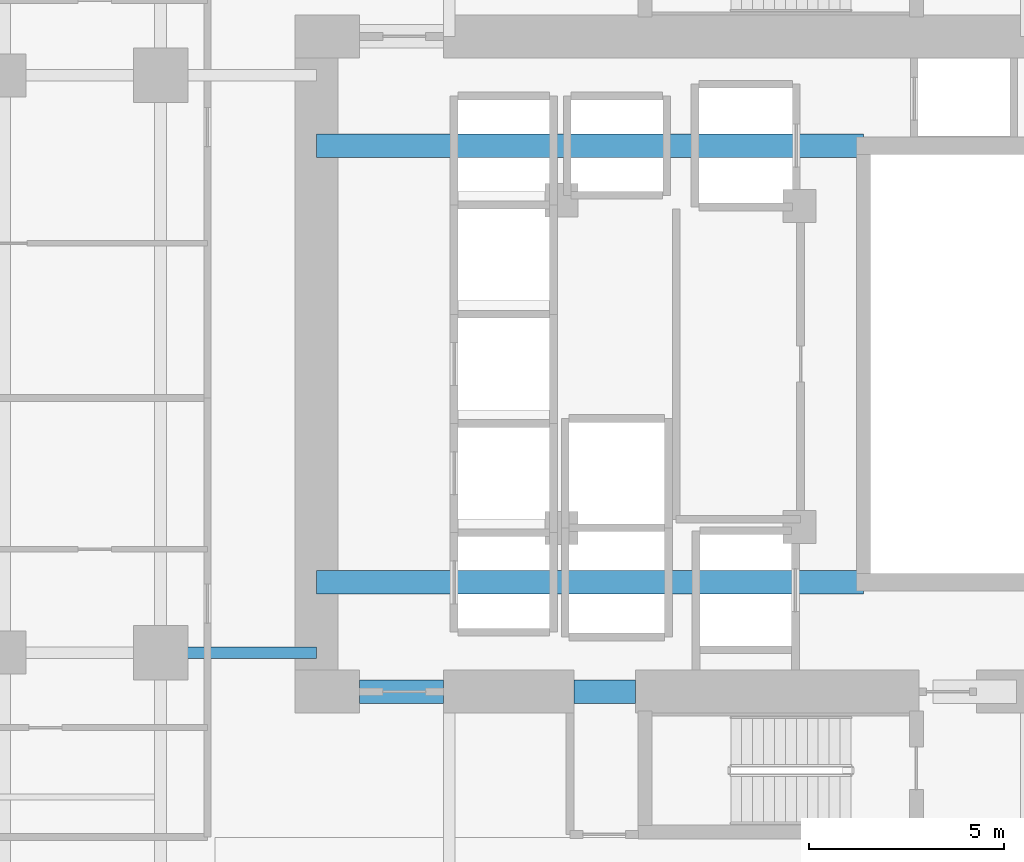
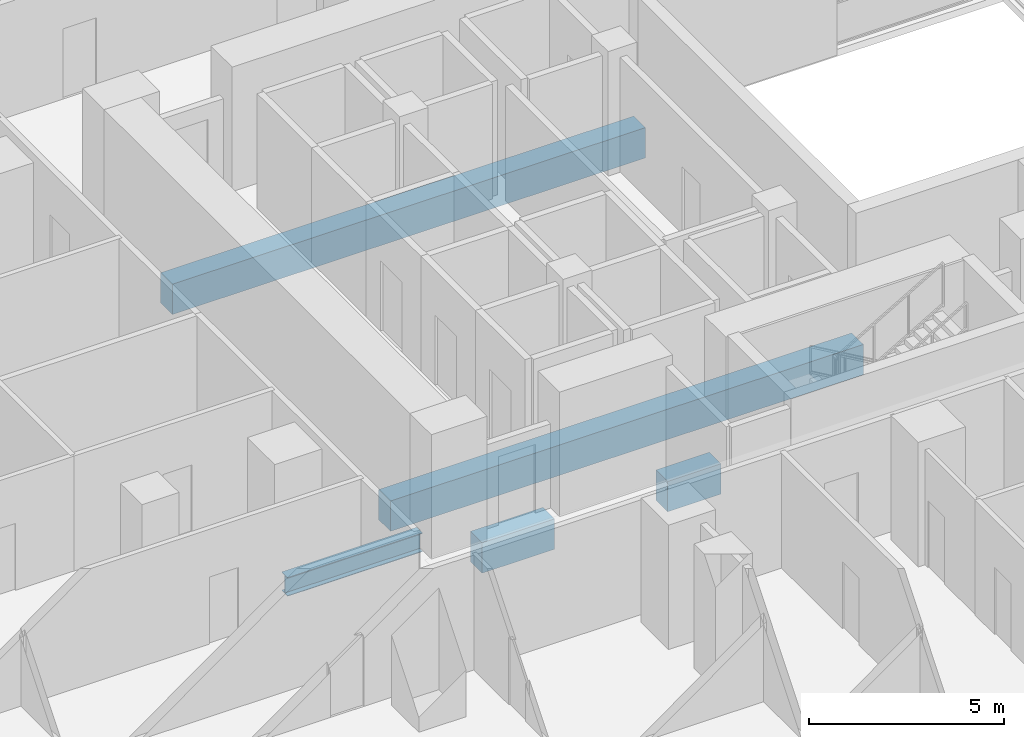
# One storey, part 7 of 29: 5 beams.
"""IFC4 building model written with IfcOpenShell, lengths in metres."""

from ifc_helpers import new_model, si_unit, direction, frame, origin, origin_2d, place, context, subcontext, project, spatial, rectangle, i_section, extrude, material, material_profile, profile_set, type_object, element, save


model = new_model("IFC4")

# Units and contexts
model_context = context("Model", 3, precision=1e-05, world=origin(), true_north=direction((0.0, 1.0)))
body_context = subcontext(model_context, "Body", "Model", "MODEL_VIEW")
ifc_project = project(units=[si_unit("LENGTHUNIT", "METRE"), si_unit("AREAUNIT", "SQUARE_METRE"), si_unit("VOLUMEUNIT", "CUBIC_METRE"), si_unit("PLANEANGLEUNIT", "RADIAN"), si_unit("MASSUNIT", "GRAM", prefix="KILO")], contexts=[model_context])

# Site, building, storey
site_placement = place(None, origin())
site = spatial("IfcSite", under=ifc_project, at=site_placement, CompositionType="ELEMENT")
building_placement = place(site_placement, origin())
building = spatial("IfcBuilding", under=site, at=building_placement, Name="Khorvyn Point Tower", CompositionType="ELEMENT")
storey_placement = place(building_placement, frame((0.0, 0.0, 73.5)))
storey = spatial("IfcBuildingStorey", under=building, at=storey_placement, Name="L19", CompositionType="ELEMENT", Elevation=73.5)

# Beams
ifc_material_1 = material(Name="Concrete C50/60", Category="concrete")
ifc_material_profile_1 = material_profile(ifc_material_1, rectangle(XDim=0.60009765625, YDim=0.949951171875, at=origin_2d()))
ifc_profile_set_1 = profile_set([ifc_material_profile_1], Name="Concrete C50/60 RC600x950")
beam_type_1 = type_object("IfcBeamType", Name="Concrete C50/60 Beam RC600x950", PredefinedType="BEAM", material=ifc_profile_set_1)
for number, where, z_axis, x_axis, name in (
    (1, (-10.800048828125, -5.60009765625, -0.695068359375), (1.0, 0.0, 0.0), (0.0, 1.0, 0.0), "L19 Core Internal Tie Girder S"),
    (2, (-10.800048828125, 5.60009765625, -0.695068359375), (1.0, 0.0, 0.0), (0.0, 1.0, 0.0), "L19 Core Internal Tie Girder N"),
):
    element("IfcBeam", number, at=place(storey_placement, frame(where, z_axis=z_axis, x_axis=x_axis)), inside=storey, type_object=beam_type_1, Name=name, PredefinedType="BEAM", context=body_context, shape_type="SweptSolid", body=[
        extrude(rectangle(XDim=0.60009765625, YDim=0.949951171875, at=origin_2d()), origin(), (0.0, 0.0, 1.0), 14.02001953125),
    ])
beam_1_placement = place(storey_placement, frame((-9.699951171875, -8.39990234375, -0.695068359375), z_axis=(1.0, 0.0, 0.0), x_axis=(0.0, 1.0, 0.0)))
element("IfcBeam", 3, at=beam_1_placement, inside=storey, type_object=beam_type_1, Name="L19 Core Southwest Portal Coupling Beam", PredefinedType="BEAM", context=body_context, shape_type="SweptSolid", body=[
    extrude(rectangle(XDim=0.60009765625, YDim=0.949951171875, at=origin_2d()), origin(), (0.0, 0.0, 1.0), 2.14990234375),
])
beam_2_placement = place(storey_placement, frame((-4.199951171875, -8.39990234375, -0.695068359375), z_axis=(1.0, 0.0, 0.0), x_axis=(0.0, 1.0, 0.0)))
element("IfcBeam", 4, at=beam_2_placement, inside=storey, type_object=beam_type_1, Name="L19 Core Shuttle Portal Coupling Beam", PredefinedType="BEAM", context=body_context, shape_type="SweptSolid", body=[
    extrude(rectangle(XDim=0.60009765625, YDim=0.949951171875, at=origin_2d()), origin(), (0.0, 0.0, 1.0), 1.579833984375),
])
ifc_material_2 = material(Name="Steel S355", Category="steel")
ifc_material_profile_2 = material_profile(ifc_material_2, i_section(OverallWidth=0.300048828125, OverallDepth=0.587890625, WebThickness=0.011962890625, FlangeThickness=0.02001953125, at=origin_2d()))
ifc_profile_set_2 = profile_set([ifc_material_profile_2], Name="Steel S355 H588x300x12x20")
beam_type_2 = type_object("IfcBeamType", Name="Steel S355 Beam H588x300x12x20", PredefinedType="BEAM", material=ifc_profile_set_2)
beam_3_placement = place(storey_placement, frame((-14.800048828125, -7.39990234375, -0.513916015625), z_axis=(1.0, 0.0, 0.0), x_axis=(0.0, 1.0, 0.0)))
element("IfcBeam", 5, at=beam_3_placement, inside=storey, type_object=beam_type_2, Name="Beam", PredefinedType="BEAM", context=body_context, shape_type="SweptSolid", body=[
    extrude(i_section(OverallWidth=0.300048828125, OverallDepth=0.587890625, WebThickness=0.011962890625, FlangeThickness=0.02001953125, at=origin_2d()), origin(), (0.0, 0.0, 1.0), 4.0),
])

save(model, "model.ifc")
